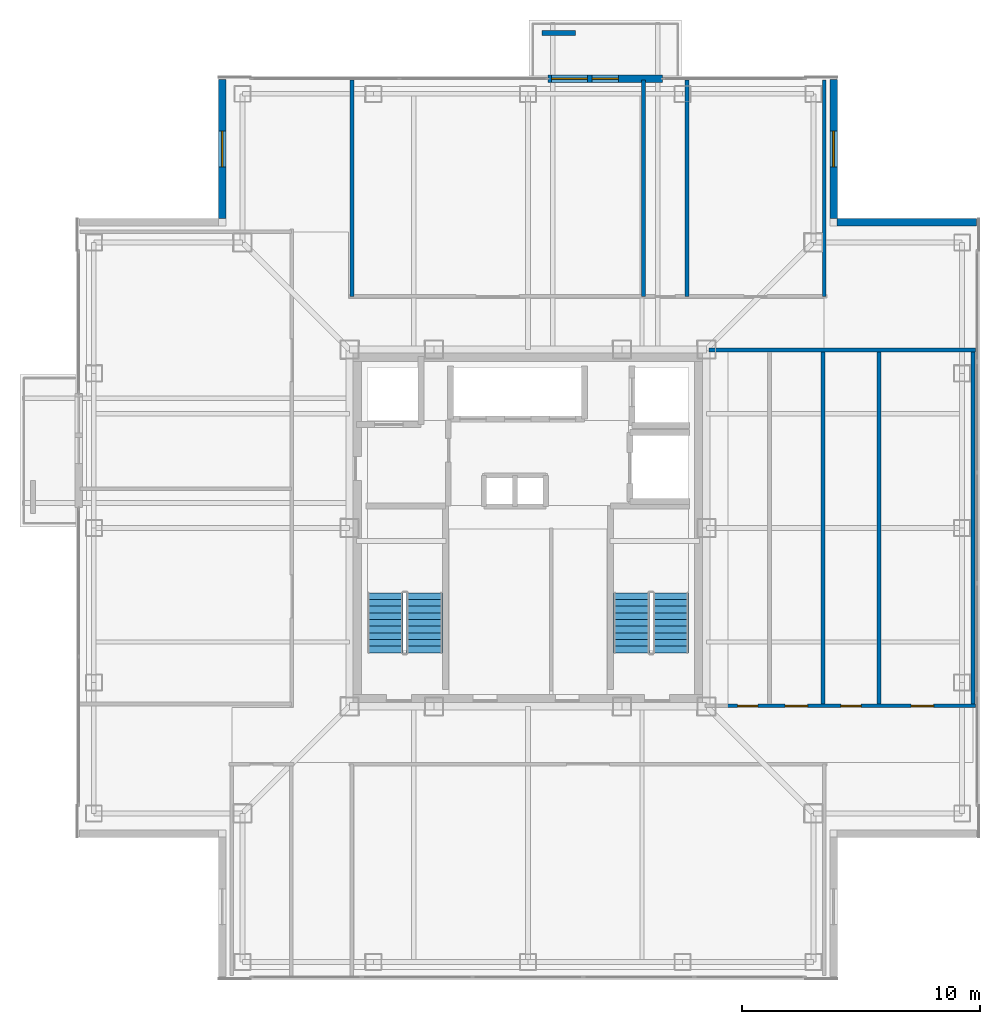
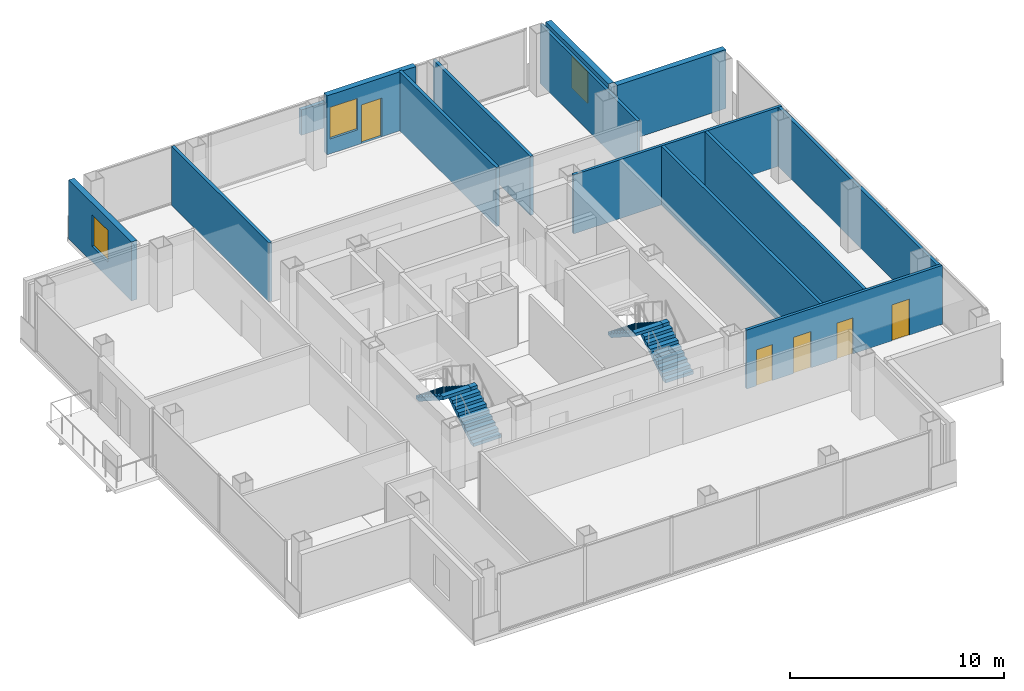
# One storey, part 10 of 13: 14 walls, 5 doors, 4 stair flights, 3 windows, 8 openings, 2 elements without a shape of their own.
"""IFC4 building model written with IfcOpenShell, lengths in metres."""

from ifc_helpers import new_model, si_unit, direction, frame, frame_2d, origin, place, context, subcontext, project, spatial, polyline, rectangle, outline, extrude, material, layer, layer_set, type_object, element, fill, aggregate, save


model = new_model("IFC4")

# Units and contexts
model_context = context("Model", 3, precision=1e-05, world=origin(), true_north=direction((0.0, 1.0)))
body_context = subcontext(model_context, "Body", "Model", "MODEL_VIEW")
ifc_project = project(units=[si_unit("LENGTHUNIT", "METRE"), si_unit("AREAUNIT", "SQUARE_METRE"), si_unit("VOLUMEUNIT", "CUBIC_METRE"), si_unit("PLANEANGLEUNIT", "RADIAN"), si_unit("MASSUNIT", "GRAM", prefix="KILO")], contexts=[model_context])

# Site, building, storey
site_placement = place(None, origin())
site = spatial("IfcSite", under=ifc_project, at=site_placement, CompositionType="ELEMENT")
building_placement = place(site_placement, origin())
building = spatial("IfcBuilding", under=site, at=building_placement, Name="Trevonay Congress Spire", CompositionType="ELEMENT")
storey_placement = place(building_placement, frame((0.0, 0.0, 254.0)))
storey = spatial("IfcBuildingStorey", under=building, at=storey_placement, Name="L66", CompositionType="ELEMENT", Elevation=254.0)

# Wall, openings, doors
ifc_material_1 = material(Name="Concrete C40/50", Category="concrete")
ifc_layer_1 = layer(ifc_material_1, 0.14990234375, Name="Concrete C40/50")
ifc_layer_set_1 = layer_set([ifc_layer_1], Name="Concrete C40/50")
wall_type_1 = type_object("IfcWallType", Name="WAL-CORR-150", PredefinedType="PARTITIONING", material=ifc_layer_set_1)
wall_1_placement = place(storey_placement, frame((8.280029296875, -7.47998046875, 0.0), z_axis=(0.0, 0.0, 1.0), x_axis=(1.0, 0.0, 0.0)))
wall_1 = element("IfcWall", 1, at=wall_1_placement, inside=storey, type_object=wall_type_1, Name="L66 interior wall WP-L66E-COR", PredefinedType="PARTITIONING", context=body_context, shape_type="SweptSolid", body=[
    extrude(rectangle(XDim=10.5400390625, YDim=0.14990234375, at=frame_2d((5.27001953125, 0.0))), origin(), (0.0, 0.0, 1.0), 3.360107421875),
])
opening_1_placement = place(wall_1_placement, frame((0.534912109375, 0.0, 0.0)))
opening_1 = element("IfcOpeningElement", 2, at=opening_1_placement, cuts=wall_1, Name="Opening D10", PredefinedType="OPENING", context=body_context, shape_type="SweptSolid", body=[
    extrude(rectangle(XDim=0.85009765625, YDim=2.050048828125, at=frame_2d((0.425048828125, 1.02490234375))), frame((0.0, 0.0849609375, 0.0), z_axis=(0.0, -1.0, 0.0), x_axis=(1.0, 0.0, 0.0)), (0.0, 0.0, 1.0), 0.169921875),
])
opening_2_placement = place(wall_1_placement, frame((2.52490234375, 0.0, 0.0)))
opening_2 = element("IfcOpeningElement", 3, at=opening_2_placement, cuts=wall_1, Name="Opening D07", PredefinedType="OPENING", context=body_context, shape_type="SweptSolid", body=[
    extrude(rectangle(XDim=0.949951171875, YDim=2.06005859375, at=frame_2d((0.47509765625, 1.030029296875))), frame((0.0, 0.0849609375, 0.0), z_axis=(0.0, -1.0, 0.0), x_axis=(1.0, 0.0, 0.0)), (0.0, 0.0, 1.0), 0.169921875),
])
opening_3_placement = place(wall_1_placement, frame((4.8701171875, 0.0, 0.0)))
opening_3 = element("IfcOpeningElement", 4, at=opening_3_placement, cuts=wall_1, Name="Opening D10", PredefinedType="OPENING", context=body_context, shape_type="SweptSolid", body=[
    extrude(rectangle(XDim=0.85009765625, YDim=2.050048828125, at=frame_2d((0.425048828125, 1.02490234375))), frame((0.0, 0.0849609375, 0.0), z_axis=(0.0, -1.0, 0.0), x_axis=(1.0, 0.0, 0.0)), (0.0, 0.0, 1.0), 0.169921875),
])
opening_4_placement = place(wall_1_placement, frame((7.820068359375, 0.0, 0.0)))
opening_4 = element("IfcOpeningElement", 5, at=opening_4_placement, cuts=wall_1, Name="Opening D07", PredefinedType="OPENING", context=body_context, shape_type="SweptSolid", body=[
    extrude(rectangle(XDim=0.949951171875, YDim=2.06005859375, at=frame_2d((0.47509765625, 1.030029296875))), frame((0.0, 0.0849609375, 0.0), z_axis=(0.0, -1.0, 0.0), x_axis=(1.0, 0.0, 0.0)), (0.0, 0.0, 1.0), 0.169921875),
])
ifc_material_2 = material(Name="Pale Anodised Aluminium EN AW-6063-T6", Category="aluminium")
door_type_1 = type_object("IfcDoorType", Name="DOR-OFFICE-95", OperationType="NOTDEFINED", PredefinedType="DOOR", material=ifc_material_2)
door_1_placement = place(opening_2_placement, origin())
door_1 = element("IfcDoor", 6, at=door_1_placement, inside=storey, type_object=door_type_1, Name="L66 Floor Supplies and Copy Room Door", OperationType="SINGLE_SWING_LEFT", OverallHeight=2.06005859375, OverallWidth=0.949951171875, PredefinedType="DOOR", context=body_context, shape_type="SweptSolid", body=[
    extrude(rectangle(XDim=0.949951171875, YDim=2.06005859375, at=frame_2d((0.47509765625, 1.030029296875))), frame((0.0, 0.02490234375, 0.0), z_axis=(0.0, -1.0, 0.0), x_axis=(1.0, 0.0, 0.0)), (0.0, 0.0, 1.0), 0.050048828125),
])
fill(opening_2, door_1)
door_2_placement = place(opening_4_placement, origin())
door_2 = element("IfcDoor", 7, at=door_2_placement, inside=storey, type_object=door_type_1, Name="L66 Floor Supplies and Copy Room Door", OperationType="SINGLE_SWING_LEFT", OverallHeight=2.06005859375, OverallWidth=0.949951171875, PredefinedType="DOOR", context=body_context, shape_type="SweptSolid", body=[
    extrude(rectangle(XDim=0.949951171875, YDim=2.06005859375, at=frame_2d((0.47509765625, 1.030029296875))), frame((0.0, 0.02490234375, 0.0), z_axis=(0.0, -1.0, 0.0), x_axis=(1.0, 0.0, 0.0)), (0.0, 0.0, 1.0), 0.050048828125),
])
fill(opening_4, door_2)
door_type_2 = type_object("IfcDoorType", Name="DOR-WC-85", OperationType="NOTDEFINED", PredefinedType="DOOR", material=ifc_material_2)
door_3_placement = place(opening_1_placement, origin())
door_3 = element("IfcDoor", 8, at=door_3_placement, inside=storey, type_object=door_type_2, Name="L66 Female Restroom WC Door", OperationType="SINGLE_SWING_RIGHT", OverallHeight=2.050048828125, OverallWidth=0.85009765625, PredefinedType="DOOR", context=body_context, shape_type="SweptSolid", body=[
    extrude(rectangle(XDim=0.85009765625, YDim=2.050048828125, at=frame_2d((0.425048828125, 1.02490234375))), frame((0.0, 0.02490234375, 0.0), z_axis=(0.0, -1.0, 0.0), x_axis=(1.0, 0.0, 0.0)), (0.0, 0.0, 1.0), 0.050048828125),
])
fill(opening_1, door_3)
door_4_placement = place(opening_3_placement, origin())
door_4 = element("IfcDoor", 9, at=door_4_placement, inside=storey, type_object=door_type_2, Name="L66 Male Restroom WC Door", OperationType="SINGLE_SWING_RIGHT", OverallHeight=2.050048828125, OverallWidth=0.85009765625, PredefinedType="DOOR", context=body_context, shape_type="SweptSolid", body=[
    extrude(rectangle(XDim=0.85009765625, YDim=2.050048828125, at=frame_2d((0.425048828125, 1.02490234375))), frame((0.0, 0.02490234375, 0.0), z_axis=(0.0, -1.0, 0.0), x_axis=(1.0, 0.0, 0.0)), (0.0, 0.0, 1.0), 0.050048828125),
])
fill(opening_3, door_4)

# Wall, openings, door, window
ifc_material_3 = material(Name="Precast concrete C40/50", Category="concrete")
ifc_layer_2 = layer(ifc_material_3, 0.300048828125, Name="Precast concrete C40/50")
ifc_layer_set_2 = layer_set([ifc_layer_2], Name="Precast concrete C40/50")
wall_type_2 = type_object("IfcWallType", Name="WAL-EXT-PRECAST-300", PredefinedType="SOLIDWALL", material=ifc_layer_set_2)
wall_2_placement = place(storey_placement, frame((0.85009765625, 18.8798828125, 0.0), z_axis=(0.0, 0.0, 1.0), x_axis=(1.0, 0.0, 0.0)))
wall_2 = element("IfcWall", 10, at=wall_2_placement, inside=storey, type_object=wall_type_2, Name="L66 N glazed balcony portal exterior wall", PredefinedType="SOLIDWALL", context=body_context, shape_type="SweptSolid", body=[
    extrude(rectangle(XDim=4.7998046875, YDim=0.300048828125, at=frame_2d((2.39990234375, 0.0))), origin(), (0.0, 0.0, 1.0), 3.360107421875),
])
opening_5_placement = place(wall_2_placement, frame((1.85009765625, 0.0, 0.0)))
opening_5 = element("IfcOpeningElement", 11, at=opening_5_placement, cuts=wall_2, Name="Opening D03", PredefinedType="OPENING", context=body_context, shape_type="SweptSolid", body=[
    extrude(rectangle(XDim=1.10009765625, YDim=2.199951171875, at=frame_2d((0.550048828125, 1.10009765625))), frame((0.0, 0.16015625, 0.0), z_axis=(0.0, -1.0, 0.0), x_axis=(1.0, 0.0, 0.0)), (0.0, 0.0, 1.0), 0.320068359375),
])
opening_6_placement = place(wall_2_placement, frame((0.14990234375, 0.0, 0.85009765625)))
opening_6 = element("IfcOpeningElement", 12, at=opening_6_placement, cuts=wall_2, Name="Opening WN03", PredefinedType="OPENING", context=body_context, shape_type="SweptSolid", body=[
    extrude(rectangle(XDim=1.5, YDim=1.800048828125, at=frame_2d((0.75, 0.89990234375))), frame((0.0, 0.16015625, 0.0), z_axis=(0.0, -1.0, 0.0), x_axis=(1.0, 0.0, 0.0)), (0.0, 0.0, 1.0), 0.320068359375),
])
door_type_3 = type_object("IfcDoorType", Name="DOR-EXT-BAL-110", OperationType="NOTDEFINED", PredefinedType="DOOR", material=ifc_material_2)
door_5_placement = place(opening_5_placement, origin())
door_5 = element("IfcDoor", 13, at=door_5_placement, inside=storey, type_object=door_type_3, Name="L66 N glazed outdoor terrace and balcony door", OperationType="SINGLE_SWING_RIGHT", OverallHeight=2.199951171875, OverallWidth=1.10009765625, PredefinedType="DOOR", context=body_context, shape_type="SweptSolid", body=[
    extrude(rectangle(XDim=1.10009765625, YDim=2.199951171875, at=frame_2d((0.550048828125, 1.10009765625))), frame((0.0, 0.02490234375, 0.0), z_axis=(0.0, -1.0, 0.0), x_axis=(1.0, 0.0, 0.0)), (0.0, 0.0, 1.0), 0.050048828125),
])
fill(opening_5, door_5)
ifc_material_4 = material(Name="Insulated Low-E Vision Glass IGU", Category="glass")
window_type = type_object("IfcWindowType", Name="WIN-NOTCH-150X180", PartitioningType="SINGLE_PANEL", PredefinedType="WINDOW", material=ifc_material_4)
window_1_placement = place(opening_6_placement, origin())
window_1 = element("IfcWindow", 14, at=window_1_placement, inside=storey, type_object=window_type, Name="L66 N balcony sidelight window L", OverallHeight=1.800048828125, OverallWidth=1.5, PartitioningType="SINGLE_PANEL", PredefinedType="WINDOW", context=body_context, shape_type="SweptSolid", body=[
    extrude(rectangle(XDim=1.5, YDim=1.800048828125, at=frame_2d((0.75, 0.89990234375))), frame((0.0, 0.030029296875, 0.0), z_axis=(0.0, -1.0, 0.0), x_axis=(1.0, 0.0, 0.0)), (0.0, 0.0, 1.0), 0.06005859375),
])
fill(opening_6, window_1)

# Wall, opening, window
wall_3_placement = place(storey_placement, frame((12.85009765625, 18.85009765625, 0.0), z_axis=(0.0, 0.0, 1.0), x_axis=(0.0, -1.0, 0.0)))
wall_3 = element("IfcWall", 15, at=wall_3_placement, inside=storey, type_object=wall_type_2, Name="L66 NE re-entrant notch exterior wall 1", PredefinedType="SOLIDWALL", context=body_context, shape_type="SweptSolid", body=[
    extrude(rectangle(XDim=5.85009765625, YDim=0.300048828125, at=frame_2d((2.925048828125, 0.0))), origin(), (0.0, 0.0, 1.0), 3.360107421875),
])
opening_7_placement = place(wall_3_placement, frame((2.175048828125, 0.0, 0.89990234375)))
opening_7 = element("IfcOpeningElement", 16, at=opening_7_placement, cuts=wall_3, Name="Opening WN03", PredefinedType="OPENING", context=body_context, shape_type="SweptSolid", body=[
    extrude(rectangle(XDim=1.5, YDim=1.800048828125, at=frame_2d((0.75, 0.89990234375))), frame((0.0, 0.16015625, 0.0), z_axis=(0.0, -1.0, 0.0), x_axis=(1.0, 0.0, 0.0)), (0.0, 0.0, 1.0), 0.320068359375),
])
window_2_placement = place(opening_7_placement, origin())
window_2 = element("IfcWindow", 17, at=window_2_placement, inside=storey, type_object=window_type, Name="L66 NE corner notch window", OverallHeight=1.800048828125, OverallWidth=1.5, PartitioningType="SINGLE_PANEL", PredefinedType="WINDOW", context=body_context, shape_type="SweptSolid", body=[
    extrude(rectangle(XDim=1.5, YDim=1.800048828125, at=frame_2d((0.75, 0.89990234375))), frame((0.0, 0.030029296875, 0.0), z_axis=(0.0, -1.0, 0.0), x_axis=(1.0, 0.0, 0.0)), (0.0, 0.0, 1.0), 0.06005859375),
])
fill(opening_7, window_2)

# Wall
wall_4_placement = place(storey_placement, frame((18.85009765625, 12.85009765625, 0.0), z_axis=(0.0, 0.0, 1.0), x_axis=(-1.0, 0.0, 0.0)))
element("IfcWall", 18, at=wall_4_placement, inside=storey, type_object=wall_type_2, Name="L66 NE re-entrant notch exterior wall 2", PredefinedType="SOLIDWALL", context=body_context, shape_type="SweptSolid", body=[
    extrude(rectangle(XDim=5.85009765625, YDim=0.300048828125, at=frame_2d((2.925048828125, 0.0))), origin(), (0.0, 0.0, 1.0), 3.360107421875),
])

# Wall, opening, window
wall_5_placement = place(storey_placement, frame((-12.85009765625, 18.85009765625, 0.0), z_axis=(0.0, 0.0, 1.0), x_axis=(0.0, -1.0, 0.0)))
wall_5 = element("IfcWall", 19, at=wall_5_placement, inside=storey, type_object=wall_type_2, Name="L66 NW re-entrant notch exterior wall 1", PredefinedType="SOLIDWALL", context=body_context, shape_type="SweptSolid", body=[
    extrude(rectangle(XDim=5.85009765625, YDim=0.300048828125, at=frame_2d((2.925048828125, 0.0))), origin(), (0.0, 0.0, 1.0), 3.360107421875),
])
opening_8_placement = place(wall_5_placement, frame((2.175048828125, 0.0, 0.89990234375)))
opening_8 = element("IfcOpeningElement", 20, at=opening_8_placement, cuts=wall_5, Name="Opening WN03", PredefinedType="OPENING", context=body_context, shape_type="SweptSolid", body=[
    extrude(rectangle(XDim=1.5, YDim=1.800048828125, at=frame_2d((0.75, 0.89990234375))), frame((0.0, 0.16015625, 0.0), z_axis=(0.0, -1.0, 0.0), x_axis=(1.0, 0.0, 0.0)), (0.0, 0.0, 1.0), 0.320068359375),
])
window_3_placement = place(opening_8_placement, origin())
window_3 = element("IfcWindow", 21, at=window_3_placement, inside=storey, type_object=window_type, Name="L66 NW corner notch window", OverallHeight=1.800048828125, OverallWidth=1.5, PartitioningType="SINGLE_PANEL", PredefinedType="WINDOW", context=body_context, shape_type="SweptSolid", body=[
    extrude(rectangle(XDim=1.5, YDim=1.800048828125, at=frame_2d((0.75, 0.89990234375))), frame((0.0, 0.030029296875, 0.0), z_axis=(0.0, -1.0, 0.0), x_axis=(1.0, 0.0, 0.0)), (0.0, 0.0, 1.0), 0.06005859375),
])
fill(opening_8, window_3)

# Walls
ifc_layer_3 = layer(ifc_material_1, 0.14990234375, Name="Concrete C40/50")
ifc_layer_set_3 = layer_set([ifc_layer_3], Name="Concrete C40/50")
wall_type_3 = type_object("IfcWallType", Name="WAL-PART-150", PredefinedType="PARTITIONING", material=ifc_layer_set_3)
wall_6_placement = place(storey_placement, frame((12.449951171875, 9.72998046875, 0.0), z_axis=(0.0, 0.0, 1.0), x_axis=(0.0, 1.0, 0.0)))
element("IfcWall", 22, at=wall_6_placement, inside=storey, type_object=wall_type_3, Name="L66 interior wall WP-L66N-DIV3", PredefinedType="PARTITIONING", context=body_context, shape_type="SweptSolid", body=[
    extrude(rectangle(XDim=9.090087890625, YDim=0.14990234375, at=frame_2d((4.544921875, 0.0))), origin(), (0.0, 0.0, 1.0), 3.360107421875),
])
wall_7_placement = place(storey_placement, frame((7.60009765625, 7.47998046875, 0.0), z_axis=(0.0, 0.0, 1.0), x_axis=(1.0, 0.0, 0.0)))
element("IfcWall", 23, at=wall_7_placement, inside=storey, type_object=wall_type_3, Name="L66 interior wall WP-L66E-NCLS", PredefinedType="PARTITIONING", context=body_context, shape_type="SweptSolid", body=[
    extrude(rectangle(XDim=11.219970703125, YDim=0.14990234375, at=frame_2d((5.60986328125, 0.0))), origin(), (0.0, 0.0, 1.0), 3.360107421875),
])
ifc_layer_4 = layer(ifc_material_3, 0.199951171875, Name="Precast concrete C40/50")
ifc_layer_set_4 = layer_set([ifc_layer_4], Name="Precast concrete C40/50")
wall_type_4 = type_object("IfcWallType", Name="WAL-TREE-PLANTER-200", PredefinedType="PARAPET", material=ifc_layer_set_4)
wall_8_placement = place(storey_placement, frame((0.60009765625, 20.800048828125, 0.0), z_axis=(0.0, 0.0, 1.0), x_axis=(1.0, 0.0, 0.0)))
element("IfcWall", 24, at=wall_8_placement, inside=storey, type_object=wall_type_4, Name="L66 N cantilevered balcony tree planter box", PredefinedType="PARAPET", context=body_context, shape_type="SweptSolid", body=[
    extrude(rectangle(XDim=1.39990234375, YDim=0.199951171875, at=frame_2d((0.699951171875, 0.0))), origin(), (0.0, 0.0, 1.0), 1.449951171875),
])
ifc_layer_5 = layer(ifc_material_1, 0.1650390625, Name="Concrete C40/50")
ifc_layer_set_5 = layer_set([ifc_layer_5], Name="Concrete C40/50")
wall_type_5 = type_object("IfcWallType", Name="WAL-WET-165", PredefinedType="PLUMBINGWALL", material=ifc_layer_set_5)
for number, where, z_axis, x_axis, name in (
    (25, (6.679931640625, 9.72998046875, 0.0), (0.0, 0.0, 1.0), (0.0, 1.0, 0.0), "L66 interior wall WP-L66N-WCS2"),
    (26, (-7.39990234375, 9.72998046875, 0.0), (0.0, 0.0, 1.0), (0.0, 1.0, 0.0), "L66 interior wall WP-L66N-DIV1"),
    (27, (4.85009765625, 9.72998046875, 0.0), (0.0, 0.0, 1.0), (0.0, 1.0, 0.0), "L66 interior wall WP-L66N-DIV2"),
):
    element("IfcWall", number, at=place(storey_placement, frame(where, z_axis=z_axis, x_axis=x_axis)), inside=storey, type_object=wall_type_5, Name=name, PredefinedType="PLUMBINGWALL", context=body_context, shape_type="SweptSolid", body=[
        extrude(rectangle(XDim=9.090087890625, YDim=0.1650390625, at=frame_2d((4.544921875, 0.0))), origin(), (0.0, 0.0, 1.0), 3.360107421875),
    ])
for number, where, z_axis, x_axis, name in (
    (28, (14.75, -7.47998046875, 0.0), (0.0, 0.0, 1.0), (0.0, 1.0, 0.0), "L66 interior wall WP-L66E-WCS2"),
    (29, (12.39990234375, -7.47998046875, 0.0), (0.0, 0.0, 1.0), (0.0, 1.0, 0.0), "L66 interior wall WP-L66E-DIV1"),
    (30, (18.699951171875, -7.47998046875, 0.0), (0.0, 0.0, 1.0), (0.0, 1.0, 0.0), "L66 interior wall WP-L66E-DIV2"),
):
    element("IfcWall", number, at=place(storey_placement, frame(where, z_axis=z_axis, x_axis=x_axis)), inside=storey, type_object=wall_type_5, Name=name, PredefinedType="PLUMBINGWALL", context=body_context, shape_type="SweptSolid", body=[
        extrude(rectangle(XDim=14.89990234375, YDim=0.1650390625, at=frame_2d((7.449951171875, 0.0))), origin(), (0.0, 0.0, 1.0), 3.360107421875),
    ])

# Stair, stair flights
stair_type_1 = type_object("IfcStairType", Name="STR-ST-1", PredefinedType="HALF_TURN_STAIR", material=ifc_material_1)
stair_1_placement = place(storey_placement, origin())
stair_1 = element("IfcStair", 31, at=stair_1_placement, inside=storey, type_object=stair_type_1, Name="L66 Protected Exit Stair ST-1", PredefinedType="HALF_TURN_STAIR")
stair_flight_type_1 = type_object("IfcStairFlightType", Name="SFL-ST-1", PredefinedType="STRAIGHT", material=ifc_material_1)
stair_flight_1_placement = place(storey_placement, frame((-4.35009765625, -5.25, 0.0), z_axis=(0.0, 0.0, 1.0), x_axis=(0.0, 1.0, 0.0)))
stair_flight_1 = element("IfcStairFlight", 32, at=stair_flight_1_placement, type_object=stair_flight_type_1, Name="ST-1 flight 1", NumberOfRisers=10, NumberOfTreads=9, PredefinedType="STRAIGHT", RiserHeight=0.18, TreadLength=0.28, context=body_context, shape_type="SweptSolid", body=[
    extrude(outline(polyline([(0.0, 0.0), (0.0, 0.179931640625), (0.280029296875, 0.179931640625), (0.280029296875, 0.360107421875), (0.56005859375, 0.360107421875), (0.56005859375, 0.5400390625), (0.840087890625, 0.5400390625), (0.840087890625, 0.719970703125), (1.1201171875, 0.719970703125), (1.1201171875, 0.89990234375), (1.39990234375, 0.89990234375), (1.39990234375, 1.080078125), (1.679931640625, 1.080078125), (1.679931640625, 1.260009765625), (1.9599609375, 1.260009765625), (1.9599609375, 1.43994140625), (2.239990234375, 1.43994140625), (2.239990234375, 1.6201171875), (2.52001953125, 1.6201171875), (2.52001953125, 1.800048828125), (2.52001953125, 1.44189453125), (0.277099609375, 0.0), (0.0, 0.0)])), frame((0.0, 0.75, 0.0), z_axis=(0.0, -1.0, 0.0), x_axis=(1.0, 0.0, 0.0)), (0.0, 0.0, 1.0), 1.5),
])
stair_flight_2_placement = place(storey_placement, frame((-6.0, -2.72998046875, 1.800048828125), z_axis=(0.0, 0.0, 1.0), x_axis=(0.0, -1.0, 0.0)))
stair_flight_2 = element("IfcStairFlight", 33, at=stair_flight_2_placement, type_object=stair_flight_type_1, Name="ST-1 flight 2", NumberOfRisers=10, NumberOfTreads=9, PredefinedType="STRAIGHT", RiserHeight=0.18, TreadLength=0.28, context=body_context, shape_type="SweptSolid", body=[
    extrude(outline(polyline([(0.0, 0.0), (0.0, 0.179931640625), (0.280029296875, 0.179931640625), (0.280029296875, 0.360107421875), (0.56005859375, 0.360107421875), (0.56005859375, 0.5400390625), (0.840087890625, 0.5400390625), (0.840087890625, 0.719970703125), (1.1201171875, 0.719970703125), (1.1201171875, 0.89990234375), (1.39990234375, 0.89990234375), (1.39990234375, 1.080078125), (1.679931640625, 1.080078125), (1.679931640625, 1.260009765625), (1.9599609375, 1.260009765625), (1.9599609375, 1.43994140625), (2.239990234375, 1.43994140625), (2.239990234375, 1.6201171875), (2.52001953125, 1.6201171875), (2.52001953125, 1.800048828125), (2.52001953125, 1.44189453125), (0.277099609375, 0.0), (0.0, 0.0)])), frame((0.0, 0.75, 0.0), z_axis=(0.0, -1.0, 0.0), x_axis=(1.0, 0.0, 0.0)), (0.0, 0.0, 1.0), 1.5),
])
aggregate(stair_1, [stair_flight_1, stair_flight_2])

stair_type_2 = type_object("IfcStairType", Name="STR-ST-2", PredefinedType="HALF_TURN_STAIR", material=ifc_material_1)
stair_2_placement = place(storey_placement, origin())
stair_2 = element("IfcStair", 34, at=stair_2_placement, inside=storey, type_object=stair_type_2, Name="L66 Protected Exit Stair ST-2", PredefinedType="HALF_TURN_STAIR")
stair_flight_type_2 = type_object("IfcStairFlightType", Name="SFL-ST-2", PredefinedType="STRAIGHT", material=ifc_material_1)
stair_flight_3_placement = place(storey_placement, frame((6.0, -5.25, 0.0), z_axis=(0.0, 0.0, 1.0), x_axis=(0.0, 1.0, 0.0)))
stair_flight_3 = element("IfcStairFlight", 35, at=stair_flight_3_placement, type_object=stair_flight_type_2, Name="ST-2 flight 1", NumberOfRisers=10, NumberOfTreads=9, PredefinedType="STRAIGHT", RiserHeight=0.18, TreadLength=0.28, context=body_context, shape_type="SweptSolid", body=[
    extrude(outline(polyline([(0.0, 0.0), (0.0, 0.179931640625), (0.280029296875, 0.179931640625), (0.280029296875, 0.360107421875), (0.56005859375, 0.360107421875), (0.56005859375, 0.5400390625), (0.840087890625, 0.5400390625), (0.840087890625, 0.719970703125), (1.1201171875, 0.719970703125), (1.1201171875, 0.89990234375), (1.39990234375, 0.89990234375), (1.39990234375, 1.080078125), (1.679931640625, 1.080078125), (1.679931640625, 1.260009765625), (1.9599609375, 1.260009765625), (1.9599609375, 1.43994140625), (2.239990234375, 1.43994140625), (2.239990234375, 1.6201171875), (2.52001953125, 1.6201171875), (2.52001953125, 1.800048828125), (2.52001953125, 1.44189453125), (0.277099609375, 0.0), (0.0, 0.0)])), frame((0.0, 0.75, 0.0), z_axis=(0.0, -1.0, 0.0), x_axis=(1.0, 0.0, 0.0)), (0.0, 0.0, 1.0), 1.5),
])
stair_flight_4_placement = place(storey_placement, frame((4.35009765625, -2.72998046875, 1.800048828125), z_axis=(0.0, 0.0, 1.0), x_axis=(0.0, -1.0, 0.0)))
stair_flight_4 = element("IfcStairFlight", 36, at=stair_flight_4_placement, type_object=stair_flight_type_2, Name="ST-2 flight 2", NumberOfRisers=10, NumberOfTreads=9, PredefinedType="STRAIGHT", RiserHeight=0.18, TreadLength=0.28, context=body_context, shape_type="SweptSolid", body=[
    extrude(outline(polyline([(0.0, 0.0), (0.0, 0.179931640625), (0.280029296875, 0.179931640625), (0.280029296875, 0.360107421875), (0.56005859375, 0.360107421875), (0.56005859375, 0.5400390625), (0.840087890625, 0.5400390625), (0.840087890625, 0.719970703125), (1.1201171875, 0.719970703125), (1.1201171875, 0.89990234375), (1.39990234375, 0.89990234375), (1.39990234375, 1.080078125), (1.679931640625, 1.080078125), (1.679931640625, 1.260009765625), (1.9599609375, 1.260009765625), (1.9599609375, 1.43994140625), (2.239990234375, 1.43994140625), (2.239990234375, 1.6201171875), (2.52001953125, 1.6201171875), (2.52001953125, 1.800048828125), (2.52001953125, 1.44189453125), (0.277099609375, 0.0), (0.0, 0.0)])), frame((0.0, 0.75, 0.0), z_axis=(0.0, -1.0, 0.0), x_axis=(1.0, 0.0, 0.0)), (0.0, 0.0, 1.0), 1.5),
])
aggregate(stair_2, [stair_flight_3, stair_flight_4])

save(model, "model.ifc")
